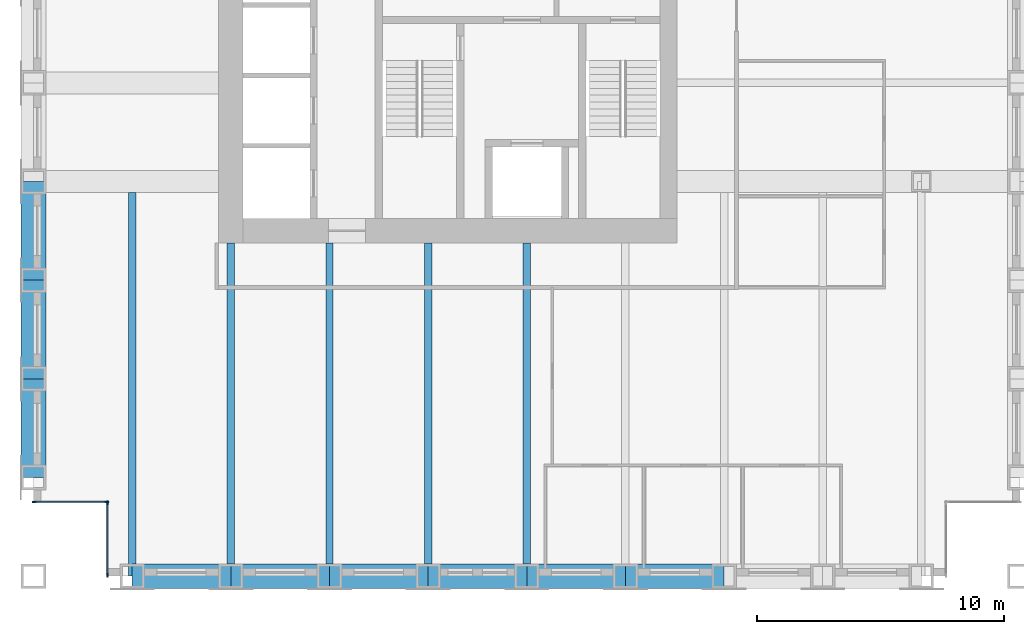
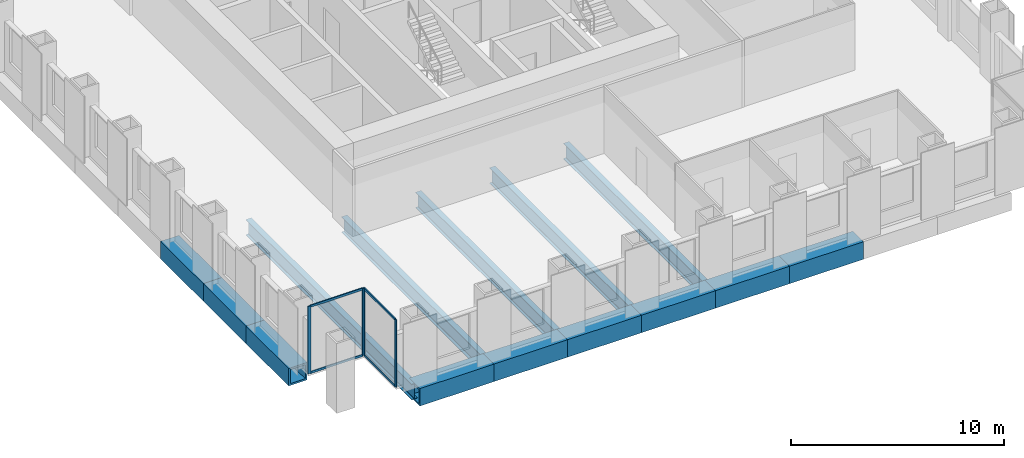
# One storey, part 2 of 11: 14 beams, 8 members, 2 elements without a shape of their own.
"""IFC4 building model written with IfcOpenShell, lengths in metres."""

from ifc_helpers import new_model, si_unit, direction, frame, origin, origin_2d, place, context, subcontext, project, spatial, rectangle, hollow_rectangle, i_section, extrude, material, material_profile, profile_set, type_object, element, aggregate, save


model = new_model("IFC4")

# Units and contexts
model_context = context("Model", 3, precision=1e-05, world=origin(), true_north=direction((0.0, 1.0)))
body_context = subcontext(model_context, "Body", "Model", "MODEL_VIEW")
ifc_project = project(units=[si_unit("LENGTHUNIT", "METRE"), si_unit("AREAUNIT", "SQUARE_METRE"), si_unit("VOLUMEUNIT", "CUBIC_METRE"), si_unit("PLANEANGLEUNIT", "RADIAN"), si_unit("MASSUNIT", "GRAM", prefix="KILO")], contexts=[model_context])

# Site, building, storey
site_placement = place(None, origin())
site = spatial("IfcSite", under=ifc_project, at=site_placement, CompositionType="ELEMENT")
building_placement = place(site_placement, origin())
building = spatial("IfcBuilding", under=site, at=building_placement, Name="Rimbunsela Tower", CompositionType="ELEMENT")
storey_placement = place(building_placement, frame((0.0, 0.0, 246.199951171875)))
storey = spatial("IfcBuildingStorey", under=building, at=storey_placement, Name="L59", CompositionType="ELEMENT", Elevation=246.199951171875)

# Beams
ifc_material_1 = material(Name="Steel BJ 55 (fy 410 MPa)", Category="steel")
ifc_material_profile_1 = material_profile(ifc_material_1, hollow_rectangle(XDim=1.0, YDim=1.0, WallThickness=0.10009765625, at=origin_2d()), Name="BOX 1000x1000x100")
ifc_profile_set_1 = profile_set([ifc_material_profile_1], Name="Steel BJ 55 (fy 410 MPa)")
beam_type_1 = type_object("IfcBeamType", Name="Beam BOX 1000x1000x100", PredefinedType="BEAM", material=ifc_profile_set_1)
for number, where, z_axis, x_axis, name in (
    (1, (10.0, 8.0, -0.64990234375), (0.0, 1.0, 0.0), (-1.0, 0.0, 0.0), "Beam B3 L59"),
    (2, (10.0, 12.0, -0.64990234375), (0.0, 1.0, 0.0), (-1.0, 0.0, 0.0), "Beam B3 L59"),
    (3, (10.0, 16.0, -0.64990234375), (0.0, 1.0, 0.0), (-1.0, 0.0, 0.0), "Beam B3 L59"),
    (4, (14.0, 4.0, -0.64990234375), (1.0, 0.0, 0.0), (0.0, 1.0, 0.0), "Beam B3 L59"),
    (5, (18.0, 4.0, -0.64990234375), (1.0, 0.0, 0.0), (0.0, 1.0, 0.0), "Beam B3 L59"),
    (6, (22.0, 4.0, -0.64990234375), (1.0, 0.0, 0.0), (0.0, 1.0, 0.0), "Beam B3 L59"),
    (7, (26.0, 4.0, -0.64990234375), (1.0, 0.0, 0.0), (0.0, 1.0, 0.0), "Beam B3 L59"),
    (8, (30.0, 4.0, -0.64990234375), (1.0, 0.0, 0.0), (0.0, 1.0, 0.0), "Beam B3 L59"),
    (9, (34.0, 4.0, -0.64990234375), (1.0, 0.0, 0.0), (0.0, 1.0, 0.0), "Beam B3 L59"),
):
    element("IfcBeam", number, at=place(storey_placement, frame(where, z_axis=z_axis, x_axis=x_axis)), inside=storey, type_object=beam_type_1, Name=name, PredefinedType="BEAM", context=body_context, shape_type="SweptSolid", body=[
        extrude(hollow_rectangle(XDim=1.0, YDim=1.0, WallThickness=0.10009765625, at=origin_2d()), origin(), (0.0, 0.0, 1.0), 4.0),
    ])
ifc_material_2 = material(Name="Steel BJ 55 (fy 410 MPa)", Category="steel")
ifc_material_profile_2 = material_profile(ifc_material_2, i_section(OverallWidth=0.300048828125, OverallDepth=0.89990234375, WebThickness=0.01611328125, FlangeThickness=0.028076171875, FilletRadius=0.028076171875, at=origin_2d()), Name="H 900x300x16x28")
ifc_profile_set_2 = profile_set([ifc_material_profile_2], Name="Steel BJ 55 (fy 410 MPa)")
beam_type_2 = type_object("IfcBeamType", Name="Beam H 900x300x16x28", PredefinedType="BEAM", material=ifc_profile_set_2)
beam_placement = place(storey_placement, frame((14.0, 4.0, -0.599853515625), z_axis=(0.0, 1.0, 0.0), x_axis=(-1.0, 0.0, 0.0)))
element("IfcBeam", 10, at=beam_placement, inside=storey, type_object=beam_type_2, Name="Beam B2 L59", PredefinedType="BEAM", context=body_context, shape_type="SweptSolid", body=[
    extrude(i_section(OverallWidth=0.300048828125, OverallDepth=0.89990234375, WebThickness=0.01611328125, FlangeThickness=0.028076171875, FilletRadius=0.028076171875, at=origin_2d()), origin(), (0.0, 0.0, 1.0), 15.550048828125),
])
for number, where, z_axis, x_axis, name in (
    (11, (18.0, 4.0, -0.599853515625), (0.0, 1.0, 0.0), (-1.0, 0.0, 0.0), "Beam B2 L59"),
    (12, (22.0, 4.0, -0.599853515625), (0.0, 1.0, 0.0), (-1.0, 0.0, 0.0), "Beam B2 L59"),
    (13, (26.0, 4.0, -0.599853515625), (0.0, 1.0, 0.0), (-1.0, 0.0, 0.0), "Beam B2 L59"),
    (14, (30.0, 4.0, -0.599853515625), (0.0, 1.0, 0.0), (-1.0, 0.0, 0.0), "Beam B2 L59"),
):
    element("IfcBeam", number, at=place(storey_placement, frame(where, z_axis=z_axis, x_axis=x_axis)), inside=storey, type_object=beam_type_2, Name=name, PredefinedType="BEAM", context=body_context, shape_type="SweptSolid", body=[
        extrude(i_section(OverallWidth=0.300048828125, OverallDepth=0.89990234375, WebThickness=0.01611328125, FlangeThickness=0.028076171875, FilletRadius=0.028076171875, at=origin_2d()), origin(), (0.0, 0.0, 1.0), 13.5),
    ])

# Curtain wall, members
ifc_material_3 = material(Name="Aluminium curtain wall", Category="aluminium")
curtain_wall_type = type_object("IfcCurtainWallType", Name="Corner glazing", PredefinedType="USERDEFINED", material=ifc_material_3)
curtain_wall_1_placement = place(storey_placement, origin())
curtain_wall_1 = element("IfcCurtainWall", 15, at=curtain_wall_1_placement, inside=storey, type_object=curtain_wall_type, Name="Corner glazing L59", ObjectType="CORNER GLAZING", PredefinedType="USERDEFINED")
ifc_material_4 = material(Name="Aluminium mullion", Category="aluminium")
ifc_material_profile_3 = material_profile(ifc_material_4, rectangle(XDim=0.06005859375, YDim=0.159912109375, at=origin_2d()), Name="Mullion 60x160")
ifc_profile_set_3 = profile_set([ifc_material_profile_3], Name="Aluminium mullion")
member_type_1 = type_object("IfcMemberType", Name="Curtain wall mullion 60x160", PredefinedType="MULLION", material=ifc_profile_set_3)
member_1_placement = place(storey_placement, frame((10.030029296875, 7.0, 0.0), z_axis=(0.0, 0.0, 1.0), x_axis=(0.0, 1.0, 0.0)))
member_1 = element("IfcMember", 16, at=member_1_placement, type_object=member_type_1, Name="CW5 mullion 1", PredefinedType="MULLION", context=body_context, shape_type="SweptSolid", body=[
    extrude(rectangle(XDim=0.06005859375, YDim=0.159912109375, at=origin_2d()), origin(), (0.0, 0.0, 1.0), 3.85009765625),
])
member_2_placement = place(storey_placement, frame((12.969970703125, 7.0, 0.0), z_axis=(0.0, 0.0, 1.0), x_axis=(0.0, 1.0, 0.0)))
member_2 = element("IfcMember", 17, at=member_2_placement, type_object=member_type_1, Name="CW5 mullion 2", PredefinedType="MULLION", context=body_context, shape_type="SweptSolid", body=[
    extrude(rectangle(XDim=0.06005859375, YDim=0.159912109375, at=origin_2d()), origin(), (0.0, 0.0, 1.0), 3.85009765625),
])

curtain_wall_2_placement = place(storey_placement, origin())
curtain_wall_2 = element("IfcCurtainWall", 18, at=curtain_wall_2_placement, inside=storey, type_object=curtain_wall_type, Name="Corner glazing L59", ObjectType="CORNER GLAZING", PredefinedType="USERDEFINED")
member_3_placement = place(storey_placement, frame((13.0, 6.969970703125, 0.0), z_axis=(0.0, 0.0, 1.0), x_axis=(1.0, 0.0, 0.0)))
member_3 = element("IfcMember", 19, at=member_3_placement, type_object=member_type_1, Name="CW5 mullion 1", PredefinedType="MULLION", context=body_context, shape_type="SweptSolid", body=[
    extrude(rectangle(XDim=0.06005859375, YDim=0.159912109375, at=origin_2d()), origin(), (0.0, 0.0, 1.0), 3.85009765625),
])
member_4_placement = place(storey_placement, frame((13.0, 4.030029296875, 0.0), z_axis=(0.0, 0.0, 1.0), x_axis=(1.0, 0.0, 0.0)))
member_4 = element("IfcMember", 20, at=member_4_placement, type_object=member_type_1, Name="CW5 mullion 2", PredefinedType="MULLION", context=body_context, shape_type="SweptSolid", body=[
    extrude(rectangle(XDim=0.06005859375, YDim=0.159912109375, at=origin_2d()), origin(), (0.0, 0.0, 1.0), 3.85009765625),
])

# Member
ifc_material_5 = material(Name="Aluminium transom", Category="aluminium")
ifc_material_profile_4 = material_profile(ifc_material_5, rectangle(XDim=0.06005859375, YDim=0.1201171875, at=origin_2d()), Name="Transom 60x120")
ifc_profile_set_4 = profile_set([ifc_material_profile_4], Name="Aluminium transom")
member_type_2 = type_object("IfcMemberType", Name="Curtain wall transom 60x120", PredefinedType="USERDEFINED", material=ifc_profile_set_4)
member_5_placement = place(storey_placement, frame((10.06005859375, 7.0, 0.030029296875), z_axis=(1.0, 0.0, 0.0), x_axis=(0.0, 1.0, 0.0)))
member_5 = element("IfcMember", 21, at=member_5_placement, type_object=member_type_2, Name="CW5 transom 1.1", ObjectType="TRANSOM", PredefinedType="USERDEFINED", context=body_context, shape_type="SweptSolid", body=[
    extrude(rectangle(XDim=0.06005859375, YDim=0.1201171875, at=origin_2d()), origin(), (0.0, 0.0, 1.0), 2.8798828125),
])

member_6_placement = place(storey_placement, frame((10.06005859375, 7.0, 3.820068359375), z_axis=(1.0, 0.0, 0.0), x_axis=(0.0, 1.0, 0.0)))
member_6 = element("IfcMember", 22, at=member_6_placement, type_object=member_type_2, Name="CW5 transom 1.2", ObjectType="TRANSOM", PredefinedType="USERDEFINED", context=body_context, shape_type="SweptSolid", body=[
    extrude(rectangle(XDim=0.06005859375, YDim=0.1201171875, at=origin_2d()), origin(), (0.0, 0.0, 1.0), 2.8798828125),
])

aggregate(curtain_wall_1, [member_1, member_2, member_5, member_6])

member_7_placement = place(storey_placement, frame((13.0, 6.93994140625, 0.030029296875), z_axis=(0.0, -1.0, 0.0), x_axis=(1.0, 0.0, 0.0)))
member_7 = element("IfcMember", 23, at=member_7_placement, type_object=member_type_2, Name="CW5 transom 1.1", ObjectType="TRANSOM", PredefinedType="USERDEFINED", context=body_context, shape_type="SweptSolid", body=[
    extrude(rectangle(XDim=0.06005859375, YDim=0.1201171875, at=origin_2d()), origin(), (0.0, 0.0, 1.0), 2.8798828125),
])

member_8_placement = place(storey_placement, frame((13.0, 6.93994140625, 3.820068359375), z_axis=(0.0, -1.0, 0.0), x_axis=(1.0, 0.0, 0.0)))
member_8 = element("IfcMember", 24, at=member_8_placement, type_object=member_type_2, Name="CW5 transom 1.2", ObjectType="TRANSOM", PredefinedType="USERDEFINED", context=body_context, shape_type="SweptSolid", body=[
    extrude(rectangle(XDim=0.06005859375, YDim=0.1201171875, at=origin_2d()), origin(), (0.0, 0.0, 1.0), 2.8798828125),
])

aggregate(curtain_wall_2, [member_3, member_4, member_7, member_8])

save(model, "model.ifc")
